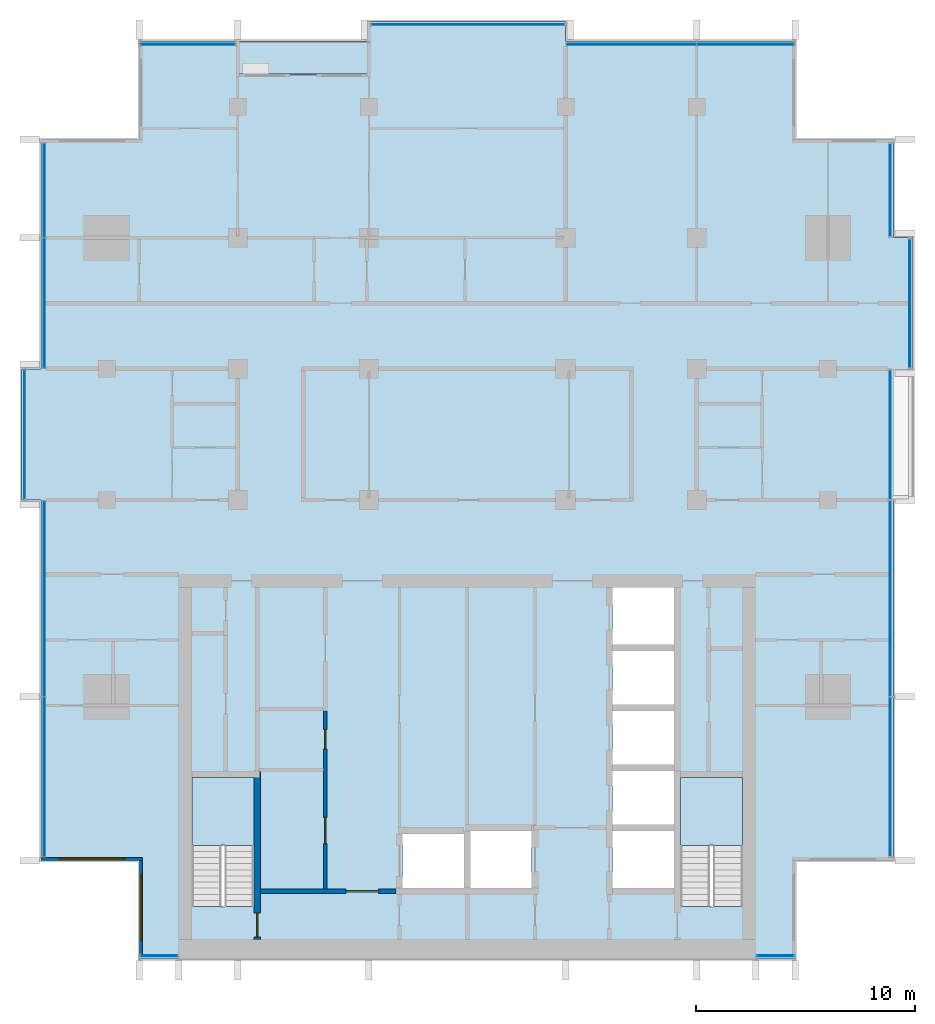
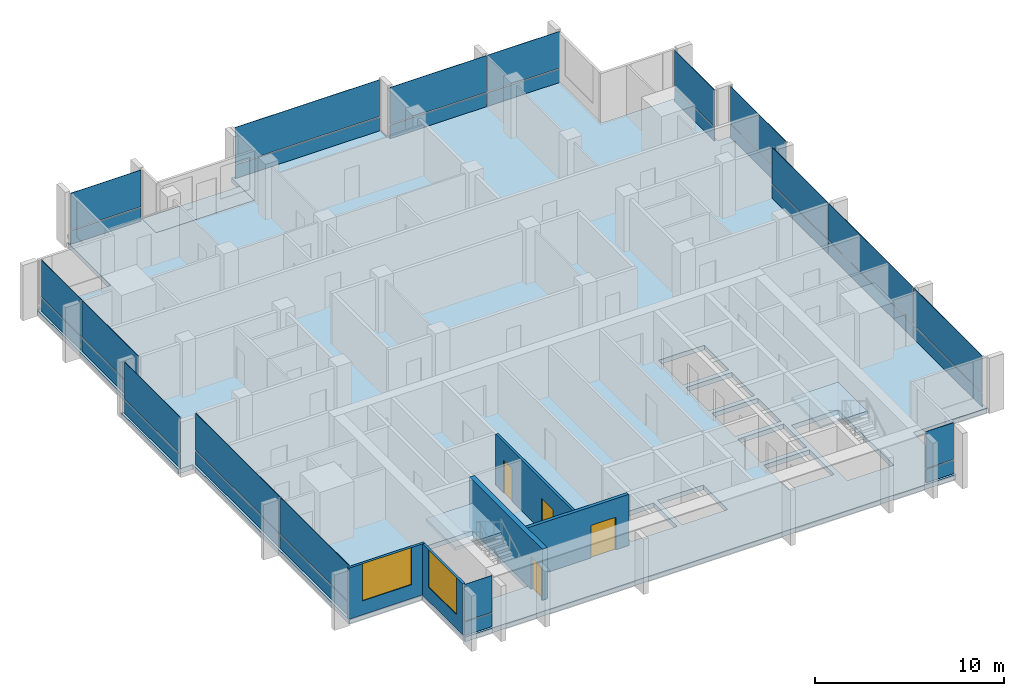
# One storey, part 6 of 15: 32 plates, 5 walls, 4 doors, 4 slabs, 2 windows, 6 openings, 13 elements without a shape of their own.
"""IFC4 building model written with IfcOpenShell, lengths in metres."""

from ifc_helpers import new_model, si_unit, direction, frame, frame_2d, origin, origin_2d, place, context, subcontext, project, spatial, polyline, rectangle, outline, extrude, material, layer, layer_set, type_object, element, fill, aggregate, save


model = new_model("IFC4")

# Units and contexts
model_context = context("Model", 3, precision=1e-05, world=origin(), true_north=direction((0.0, 1.0)))
body_context = subcontext(model_context, "Body", "Model", "MODEL_VIEW")
ifc_project = project(units=[si_unit("LENGTHUNIT", "METRE"), si_unit("AREAUNIT", "SQUARE_METRE"), si_unit("VOLUMEUNIT", "CUBIC_METRE"), si_unit("PLANEANGLEUNIT", "RADIAN"), si_unit("MASSUNIT", "GRAM", prefix="KILO")], contexts=[model_context])

# Site, building, storey
site_placement = place(None, origin())
site = spatial("IfcSite", under=ifc_project, at=site_placement, CompositionType="ELEMENT")
building_placement = place(site_placement, origin())
building = spatial("IfcBuilding", under=site, at=building_placement, Name="Finial Court Residences", CompositionType="ELEMENT")
storey_placement = place(building_placement, frame((0.0, 0.0, 226.699951171875)))
storey = spatial("IfcBuildingStorey", under=building, at=storey_placement, Name="L57", CompositionType="ELEMENT", Elevation=226.699951171875)

# Slab
ifc_material_1 = material(Name="Concrete C35/45", Category="concrete")
ifc_layer_1 = layer(ifc_material_1, 0.199951171875)
ifc_layer_set_1 = layer_set([ifc_layer_1], Name="Balcony slab, Concrete C35/45 200")
slab_type_1 = type_object("IfcSlabType", Name="Balcony slab, Concrete C35/45 200", PredefinedType="FLOOR", material=ifc_layer_set_1)
slab_1_placement = place(storey_placement, frame((0.0, 0.0, -0.199951171875)))
element("IfcSlab", 1, at=slab_1_placement, inside=storey, type_object=slab_type_1, Name="Balcony L57-N2", PredefinedType="FLOOR", context=body_context, shape_type="SweptSolid", body=[
    extrude(outline(polyline([(-4.5, 15.0), (-4.5, 16.5), (-10.5, 16.5), (-10.5, 15.0), (-4.5, 15.0)])), origin(), (0.0, 0.0, 1.0), 0.199951171875),
])

# Curtain wall, plate
ifc_material_2 = material(Name="Bronze anodised aluminium", Category="aluminium")
curtain_wall_type = type_object("IfcCurtainWallType", Name="Unitised curtain wall, upper zones", PredefinedType="NOTDEFINED", material=ifc_material_2)
curtain_wall_1_placement = place(storey_placement, origin())
curtain_wall_1 = element("IfcCurtainWall", 2, at=curtain_wall_1_placement, inside=storey, type_object=curtain_wall_type, Name="E-L57-CW-N1", PredefinedType="NOTDEFINED")
ifc_layer_2 = layer(ifc_material_2, 0.035888671875)
ifc_layer_set_2 = layer_set([ifc_layer_2], Name="CW2 spandrel panel 36")
plate_type_1 = type_object("IfcPlateType", Name="CW2 spandrel panel 36", PredefinedType="CURTAIN_PANEL", material=ifc_layer_set_2)
plate_1_placement = place(storey_placement, frame((-12.78759765625, 16.35009765625, 0.0), z_axis=(0.0, 0.0, 1.0), x_axis=(1.0, 0.0, 0.0)))
plate_1 = element("IfcPlate", 3, at=plate_1_placement, type_object=plate_type_1, Name="CW2 spandrel 1.1", PredefinedType="CURTAIN_PANEL", context=body_context, shape_type="SweptSolid", body=[
    extrude(rectangle(XDim=4.304931640625, YDim=0.035888671875, at=origin_2d()), origin(), (0.0, 0.0, 1.0), 0.8701171875),
])

curtain_wall_2_placement = place(storey_placement, origin())
curtain_wall_2 = element("IfcCurtainWall", 4, at=curtain_wall_2_placement, inside=storey, type_object=curtain_wall_type, Name="E-L57-CW-N2", PredefinedType="NOTDEFINED")
plate_2_placement = place(storey_placement, frame((0.03759765625, 17.25, 0.0), z_axis=(0.0, 0.0, 1.0), x_axis=(1.0, 0.0, 0.0)))
plate_2 = element("IfcPlate", 5, at=plate_2_placement, type_object=plate_type_1, Name="CW2 spandrel 1.1", PredefinedType="CURTAIN_PANEL", context=body_context, shape_type="SweptSolid", body=[
    extrude(rectangle(XDim=8.804931640625, YDim=0.035888671875, at=origin_2d()), origin(), (0.0, 0.0, 1.0), 0.8701171875),
])

# Curtain wall, plates
curtain_wall_3_placement = place(storey_placement, origin())
curtain_wall_3 = element("IfcCurtainWall", 6, at=curtain_wall_3_placement, inside=storey, type_object=curtain_wall_type, Name="E-L57-CW-N3", PredefinedType="NOTDEFINED")
plate_3_placement = place(storey_placement, frame((7.514892578125, 16.35009765625, 0.0), z_axis=(0.0, 0.0, 1.0), x_axis=(1.0, 0.0, 0.0)))
plate_3 = element("IfcPlate", 7, at=plate_3_placement, type_object=plate_type_1, Name="CW2 spandrel 1.1", PredefinedType="CURTAIN_PANEL", context=body_context, shape_type="SweptSolid", body=[
    extrude(rectangle(XDim=5.909912109375, YDim=0.035888671875, at=origin_2d()), origin(), (0.0, 0.0, 1.0), 0.8701171875),
])
plate_4_placement = place(storey_placement, frame((12.735107421875, 16.35009765625, 0.0), z_axis=(0.0, 0.0, 1.0), x_axis=(1.0, 0.0, 0.0)))
plate_4 = element("IfcPlate", 8, at=plate_4_placement, type_object=plate_type_1, Name="CW2 spandrel 2.1", PredefinedType="CURTAIN_PANEL", context=body_context, shape_type="SweptSolid", body=[
    extrude(rectangle(XDim=4.409912109375, YDim=0.035888671875, at=origin_2d()), origin(), (0.0, 0.0, 1.0), 0.8701171875),
])

curtain_wall_4_placement = place(storey_placement, origin())
curtain_wall_4 = element("IfcCurtainWall", 9, at=curtain_wall_4_placement, inside=storey, type_object=curtain_wall_type, Name="E-L57-CW-E4", PredefinedType="NOTDEFINED")
plate_5_placement = place(storey_placement, frame((19.35009765625, -17.159912109375, 0.0), z_axis=(0.0, 0.0, 1.0), x_axis=(0.0, 1.0, 0.0)))
plate_5 = element("IfcPlate", 10, at=plate_5_placement, type_object=plate_type_1, Name="CW2 spandrel 1.1", PredefinedType="CURTAIN_PANEL", context=body_context, shape_type="SweptSolid", body=[
    extrude(rectangle(XDim=7.260009765625, YDim=0.035888671875, at=origin_2d()), origin(), (0.0, 0.0, 1.0), 0.8701171875),
])
plate_6_placement = place(storey_placement, frame((19.35009765625, -9.0, 0.0), z_axis=(0.0, 0.0, 1.0), x_axis=(0.0, 1.0, 0.0)))
plate_6 = element("IfcPlate", 11, at=plate_6_placement, type_object=plate_type_1, Name="CW2 spandrel 2.1", PredefinedType="CURTAIN_PANEL", context=body_context, shape_type="SweptSolid", body=[
    extrude(rectangle(XDim=8.93994140625, YDim=0.035888671875, at=origin_2d()), origin(), (0.0, 0.0, 1.0), 0.8701171875),
])
plate_7_placement = place(storey_placement, frame((19.35009765625, -1.514892578125, 0.0), z_axis=(0.0, 0.0, 1.0), x_axis=(0.0, 1.0, 0.0)))
plate_7 = element("IfcPlate", 12, at=plate_7_placement, type_object=plate_type_1, Name="CW2 spandrel 3.1", PredefinedType="CURTAIN_PANEL", context=body_context, shape_type="SweptSolid", body=[
    extrude(rectangle(XDim=5.909912109375, YDim=0.035888671875, at=origin_2d()), origin(), (0.0, 0.0, 1.0), 0.8701171875),
])

# Curtain wall, plate
curtain_wall_5_placement = place(storey_placement, origin())
curtain_wall_5 = element("IfcCurtainWall", 13, at=curtain_wall_5_placement, inside=storey, type_object=curtain_wall_type, Name="E-L57-CW-E5", PredefinedType="NOTDEFINED")
plate_8_placement = place(storey_placement, frame((20.25, 4.5, 0.0), z_axis=(0.0, 0.0, 1.0), x_axis=(0.0, 1.0, 0.0)))
plate_8 = element("IfcPlate", 14, at=plate_8_placement, type_object=plate_type_1, Name="CW2 spandrel 1.1", PredefinedType="CURTAIN_PANEL", context=body_context, shape_type="SweptSolid", body=[
    extrude(rectangle(XDim=5.8798828125, YDim=0.035888671875, at=origin_2d()), origin(), (0.0, 0.0, 1.0), 0.8701171875),
])

curtain_wall_6_placement = place(storey_placement, origin())
curtain_wall_6 = element("IfcCurtainWall", 15, at=curtain_wall_6_placement, inside=storey, type_object=curtain_wall_type, Name="E-L57-CW-E6", PredefinedType="NOTDEFINED")
plate_9_placement = place(storey_placement, frame((19.35009765625, 9.675048828125, 0.0), z_axis=(0.0, 0.0, 1.0), x_axis=(0.0, 1.0, 0.0)))
plate_9 = element("IfcPlate", 16, at=plate_9_placement, type_object=plate_type_1, Name="CW2 spandrel 1.1", PredefinedType="CURTAIN_PANEL", context=body_context, shape_type="SweptSolid", body=[
    extrude(rectangle(XDim=4.22998046875, YDim=0.035888671875, at=origin_2d()), origin(), (0.0, 0.0, 1.0), 0.8701171875),
])

curtain_wall_7_placement = place(storey_placement, origin())
curtain_wall_7 = element("IfcCurtainWall", 17, at=curtain_wall_7_placement, inside=storey, type_object=curtain_wall_type, Name="E-L57-CW-S7", PredefinedType="NOTDEFINED")
plate_10_placement = place(storey_placement, frame((-14.10009765625, -25.35009765625, 0.0), z_axis=(0.0, 0.0, 1.0), x_axis=(1.0, 0.0, 0.0)))
plate_10 = element("IfcPlate", 18, at=plate_10_placement, type_object=plate_type_1, Name="CW2 spandrel 1.1", PredefinedType="CURTAIN_PANEL", context=body_context, shape_type="SweptSolid", body=[
    extrude(rectangle(XDim=1.679931640625, YDim=0.035888671875, at=origin_2d()), origin(), (0.0, 0.0, 1.0), 0.8701171875),
])

curtain_wall_8_placement = place(storey_placement, origin())
curtain_wall_8 = element("IfcCurtainWall", 19, at=curtain_wall_8_placement, inside=storey, type_object=curtain_wall_type, Name="E-L57-CW-S8", PredefinedType="NOTDEFINED")
plate_11_placement = place(storey_placement, frame((14.10009765625, -25.35009765625, 0.0), z_axis=(0.0, 0.0, 1.0), x_axis=(1.0, 0.0, 0.0)))
plate_11 = element("IfcPlate", 20, at=plate_11_placement, type_object=plate_type_1, Name="CW2 spandrel 1.1", PredefinedType="CURTAIN_PANEL", context=body_context, shape_type="SweptSolid", body=[
    extrude(rectangle(XDim=1.679931640625, YDim=0.035888671875, at=origin_2d()), origin(), (0.0, 0.0, 1.0), 0.8701171875),
])

# Curtain wall, plates
curtain_wall_9_placement = place(storey_placement, origin())
curtain_wall_9 = element("IfcCurtainWall", 21, at=curtain_wall_9_placement, inside=storey, type_object=curtain_wall_type, Name="E-L57-CW-W9", PredefinedType="NOTDEFINED")
plate_12_placement = place(storey_placement, frame((-19.35009765625, -17.159912109375, 0.0), z_axis=(0.0, 0.0, 1.0), x_axis=(0.0, 1.0, 0.0)))
plate_12 = element("IfcPlate", 22, at=plate_12_placement, type_object=plate_type_1, Name="CW2 spandrel 1.1", PredefinedType="CURTAIN_PANEL", context=body_context, shape_type="SweptSolid", body=[
    extrude(rectangle(XDim=7.260009765625, YDim=0.035888671875, at=origin_2d()), origin(), (0.0, 0.0, 1.0), 0.8701171875),
])
plate_13_placement = place(storey_placement, frame((-19.35009765625, -9.014892578125, 0.0), z_axis=(0.0, 0.0, 1.0), x_axis=(0.0, 1.0, 0.0)))
plate_13 = element("IfcPlate", 23, at=plate_13_placement, type_object=plate_type_1, Name="CW2 spandrel 2.1", PredefinedType="CURTAIN_PANEL", context=body_context, shape_type="SweptSolid", body=[
    extrude(rectangle(XDim=8.909912109375, YDim=0.035888671875, at=origin_2d()), origin(), (0.0, 0.0, 1.0), 0.8701171875),
])

# Curtain wall, plate
curtain_wall_10_placement = place(storey_placement, origin())
curtain_wall_10 = element("IfcCurtainWall", 24, at=curtain_wall_10_placement, inside=storey, type_object=curtain_wall_type, Name="E-L57-CW-W10", PredefinedType="NOTDEFINED")
plate_14_placement = place(storey_placement, frame((-20.25, -1.5, 0.0), z_axis=(0.0, 0.0, 1.0), x_axis=(0.0, 1.0, 0.0)))
plate_14 = element("IfcPlate", 25, at=plate_14_placement, type_object=plate_type_1, Name="CW2 spandrel 1.1", PredefinedType="CURTAIN_PANEL", context=body_context, shape_type="SweptSolid", body=[
    extrude(rectangle(XDim=5.8798828125, YDim=0.035888671875, at=origin_2d()), origin(), (0.0, 0.0, 1.0), 0.8701171875),
])

# Curtain wall, plates
curtain_wall_11_placement = place(storey_placement, origin())
curtain_wall_11 = element("IfcCurtainWall", 26, at=curtain_wall_11_placement, inside=storey, type_object=curtain_wall_type, Name="E-L57-CW-W11", PredefinedType="NOTDEFINED")
plate_15_placement = place(storey_placement, frame((-19.35009765625, 4.514892578125, 0.0), z_axis=(0.0, 0.0, 1.0), x_axis=(0.0, 1.0, 0.0)))
plate_15 = element("IfcPlate", 27, at=plate_15_placement, type_object=plate_type_1, Name="CW2 spandrel 1.1", PredefinedType="CURTAIN_PANEL", context=body_context, shape_type="SweptSolid", body=[
    extrude(rectangle(XDim=5.909912109375, YDim=0.035888671875, at=origin_2d()), origin(), (0.0, 0.0, 1.0), 0.8701171875),
])
plate_16_placement = place(storey_placement, frame((-19.35009765625, 9.659912109375, 0.0), z_axis=(0.0, 0.0, 1.0), x_axis=(0.0, 1.0, 0.0)))
plate_16 = element("IfcPlate", 28, at=plate_16_placement, type_object=plate_type_1, Name="CW2 spandrel 2.1", PredefinedType="CURTAIN_PANEL", context=body_context, shape_type="SweptSolid", body=[
    extrude(rectangle(XDim=4.260009765625, YDim=0.035888671875, at=origin_2d()), origin(), (0.0, 0.0, 1.0), 0.8701171875),
])

# Plate
ifc_material_3 = material(Name="Clear low-e glass", Category="glass")
ifc_layer_3 = layer(ifc_material_3, 0.030029296875)
ifc_layer_set_3 = layer_set([ifc_layer_3], Name="CW2 vision glass 30")
plate_type_2 = type_object("IfcPlateType", Name="CW2 vision glass 30", PredefinedType="CURTAIN_PANEL", material=ifc_layer_set_3)
plate_17_placement = place(storey_placement, frame((-12.78759765625, 16.35009765625, 0.929931640625), z_axis=(0.0, 0.0, 1.0), x_axis=(1.0, 0.0, 0.0)))
plate_17 = element("IfcPlate", 29, at=plate_17_placement, type_object=plate_type_2, Name="CW2 glass 1.2", PredefinedType="CURTAIN_PANEL", context=body_context, shape_type="SweptSolid", body=[
    extrude(rectangle(XDim=4.304931640625, YDim=0.030029296875, at=origin_2d()), origin(), (0.0, 0.0, 1.0), 2.3701171875),
])

aggregate(curtain_wall_1, [plate_1, plate_17])

plate_18_placement = place(storey_placement, frame((0.03759765625, 17.25, 0.929931640625), z_axis=(0.0, 0.0, 1.0), x_axis=(1.0, 0.0, 0.0)))
plate_18 = element("IfcPlate", 30, at=plate_18_placement, type_object=plate_type_2, Name="CW2 glass 1.2", PredefinedType="CURTAIN_PANEL", context=body_context, shape_type="SweptSolid", body=[
    extrude(rectangle(XDim=8.804931640625, YDim=0.030029296875, at=origin_2d()), origin(), (0.0, 0.0, 1.0), 2.3701171875),
])

aggregate(curtain_wall_2, [plate_2, plate_18])

plate_19_placement = place(storey_placement, frame((7.514892578125, 16.35009765625, 0.929931640625), z_axis=(0.0, 0.0, 1.0), x_axis=(1.0, 0.0, 0.0)))
plate_19 = element("IfcPlate", 31, at=plate_19_placement, type_object=plate_type_2, Name="CW2 glass 1.2", PredefinedType="CURTAIN_PANEL", context=body_context, shape_type="SweptSolid", body=[
    extrude(rectangle(XDim=5.909912109375, YDim=0.030029296875, at=origin_2d()), origin(), (0.0, 0.0, 1.0), 2.3701171875),
])

plate_20_placement = place(storey_placement, frame((12.735107421875, 16.35009765625, 0.929931640625), z_axis=(0.0, 0.0, 1.0), x_axis=(1.0, 0.0, 0.0)))
plate_20 = element("IfcPlate", 32, at=plate_20_placement, type_object=plate_type_2, Name="CW2 glass 2.2", PredefinedType="CURTAIN_PANEL", context=body_context, shape_type="SweptSolid", body=[
    extrude(rectangle(XDim=4.409912109375, YDim=0.030029296875, at=origin_2d()), origin(), (0.0, 0.0, 1.0), 2.3701171875),
])

aggregate(curtain_wall_3, [plate_3, plate_19, plate_4, plate_20])

plate_21_placement = place(storey_placement, frame((19.35009765625, -17.159912109375, 0.929931640625), z_axis=(0.0, 0.0, 1.0), x_axis=(0.0, 1.0, 0.0)))
plate_21 = element("IfcPlate", 33, at=plate_21_placement, type_object=plate_type_2, Name="CW2 glass 1.2", PredefinedType="CURTAIN_PANEL", context=body_context, shape_type="SweptSolid", body=[
    extrude(rectangle(XDim=7.260009765625, YDim=0.030029296875, at=origin_2d()), origin(), (0.0, 0.0, 1.0), 2.3701171875),
])

plate_22_placement = place(storey_placement, frame((19.35009765625, -9.0, 0.929931640625), z_axis=(0.0, 0.0, 1.0), x_axis=(0.0, 1.0, 0.0)))
plate_22 = element("IfcPlate", 34, at=plate_22_placement, type_object=plate_type_2, Name="CW2 glass 2.2", PredefinedType="CURTAIN_PANEL", context=body_context, shape_type="SweptSolid", body=[
    extrude(rectangle(XDim=8.93994140625, YDim=0.030029296875, at=origin_2d()), origin(), (0.0, 0.0, 1.0), 2.3701171875),
])

plate_23_placement = place(storey_placement, frame((19.35009765625, -1.514892578125, 0.929931640625), z_axis=(0.0, 0.0, 1.0), x_axis=(0.0, 1.0, 0.0)))
plate_23 = element("IfcPlate", 35, at=plate_23_placement, type_object=plate_type_2, Name="CW2 glass 3.2", PredefinedType="CURTAIN_PANEL", context=body_context, shape_type="SweptSolid", body=[
    extrude(rectangle(XDim=5.909912109375, YDim=0.030029296875, at=origin_2d()), origin(), (0.0, 0.0, 1.0), 2.3701171875),
])

aggregate(curtain_wall_4, [plate_5, plate_21, plate_6, plate_22, plate_7, plate_23])

plate_24_placement = place(storey_placement, frame((20.25, 4.5, 0.929931640625), z_axis=(0.0, 0.0, 1.0), x_axis=(0.0, 1.0, 0.0)))
plate_24 = element("IfcPlate", 36, at=plate_24_placement, type_object=plate_type_2, Name="CW2 glass 1.2", PredefinedType="CURTAIN_PANEL", context=body_context, shape_type="SweptSolid", body=[
    extrude(rectangle(XDim=5.8798828125, YDim=0.030029296875, at=origin_2d()), origin(), (0.0, 0.0, 1.0), 2.3701171875),
])

aggregate(curtain_wall_5, [plate_8, plate_24])

plate_25_placement = place(storey_placement, frame((19.35009765625, 9.675048828125, 0.929931640625), z_axis=(0.0, 0.0, 1.0), x_axis=(0.0, 1.0, 0.0)))
plate_25 = element("IfcPlate", 37, at=plate_25_placement, type_object=plate_type_2, Name="CW2 glass 1.2", PredefinedType="CURTAIN_PANEL", context=body_context, shape_type="SweptSolid", body=[
    extrude(rectangle(XDim=4.22998046875, YDim=0.030029296875, at=origin_2d()), origin(), (0.0, 0.0, 1.0), 2.3701171875),
])

aggregate(curtain_wall_6, [plate_9, plate_25])

plate_26_placement = place(storey_placement, frame((-14.10009765625, -25.35009765625, 0.929931640625), z_axis=(0.0, 0.0, 1.0), x_axis=(1.0, 0.0, 0.0)))
plate_26 = element("IfcPlate", 38, at=plate_26_placement, type_object=plate_type_2, Name="CW2 glass 1.2", PredefinedType="CURTAIN_PANEL", context=body_context, shape_type="SweptSolid", body=[
    extrude(rectangle(XDim=1.679931640625, YDim=0.030029296875, at=origin_2d()), origin(), (0.0, 0.0, 1.0), 2.3701171875),
])

aggregate(curtain_wall_7, [plate_10, plate_26])

plate_27_placement = place(storey_placement, frame((14.10009765625, -25.35009765625, 0.929931640625), z_axis=(0.0, 0.0, 1.0), x_axis=(1.0, 0.0, 0.0)))
plate_27 = element("IfcPlate", 39, at=plate_27_placement, type_object=plate_type_2, Name="CW2 glass 1.2", PredefinedType="CURTAIN_PANEL", context=body_context, shape_type="SweptSolid", body=[
    extrude(rectangle(XDim=1.679931640625, YDim=0.030029296875, at=origin_2d()), origin(), (0.0, 0.0, 1.0), 2.3701171875),
])

aggregate(curtain_wall_8, [plate_11, plate_27])

plate_28_placement = place(storey_placement, frame((-19.35009765625, -17.159912109375, 0.929931640625), z_axis=(0.0, 0.0, 1.0), x_axis=(0.0, 1.0, 0.0)))
plate_28 = element("IfcPlate", 40, at=plate_28_placement, type_object=plate_type_2, Name="CW2 glass 1.2", PredefinedType="CURTAIN_PANEL", context=body_context, shape_type="SweptSolid", body=[
    extrude(rectangle(XDim=7.260009765625, YDim=0.030029296875, at=origin_2d()), origin(), (0.0, 0.0, 1.0), 2.3701171875),
])

plate_29_placement = place(storey_placement, frame((-19.35009765625, -9.014892578125, 0.929931640625), z_axis=(0.0, 0.0, 1.0), x_axis=(0.0, 1.0, 0.0)))
plate_29 = element("IfcPlate", 41, at=plate_29_placement, type_object=plate_type_2, Name="CW2 glass 2.2", PredefinedType="CURTAIN_PANEL", context=body_context, shape_type="SweptSolid", body=[
    extrude(rectangle(XDim=8.909912109375, YDim=0.030029296875, at=origin_2d()), origin(), (0.0, 0.0, 1.0), 2.3701171875),
])

aggregate(curtain_wall_9, [plate_12, plate_28, plate_13, plate_29])

plate_30_placement = place(storey_placement, frame((-20.25, -1.5, 0.929931640625), z_axis=(0.0, 0.0, 1.0), x_axis=(0.0, 1.0, 0.0)))
plate_30 = element("IfcPlate", 42, at=plate_30_placement, type_object=plate_type_2, Name="CW2 glass 1.2", PredefinedType="CURTAIN_PANEL", context=body_context, shape_type="SweptSolid", body=[
    extrude(rectangle(XDim=5.8798828125, YDim=0.030029296875, at=origin_2d()), origin(), (0.0, 0.0, 1.0), 2.3701171875),
])

aggregate(curtain_wall_10, [plate_14, plate_30])

plate_31_placement = place(storey_placement, frame((-19.35009765625, 4.514892578125, 0.929931640625), z_axis=(0.0, 0.0, 1.0), x_axis=(0.0, 1.0, 0.0)))
plate_31 = element("IfcPlate", 43, at=plate_31_placement, type_object=plate_type_2, Name="CW2 glass 1.2", PredefinedType="CURTAIN_PANEL", context=body_context, shape_type="SweptSolid", body=[
    extrude(rectangle(XDim=5.909912109375, YDim=0.030029296875, at=origin_2d()), origin(), (0.0, 0.0, 1.0), 2.3701171875),
])

plate_32_placement = place(storey_placement, frame((-19.35009765625, 9.659912109375, 0.929931640625), z_axis=(0.0, 0.0, 1.0), x_axis=(0.0, 1.0, 0.0)))
plate_32 = element("IfcPlate", 44, at=plate_32_placement, type_object=plate_type_2, Name="CW2 glass 2.2", PredefinedType="CURTAIN_PANEL", context=body_context, shape_type="SweptSolid", body=[
    extrude(rectangle(XDim=4.260009765625, YDim=0.030029296875, at=origin_2d()), origin(), (0.0, 0.0, 1.0), 2.3701171875),
])

aggregate(curtain_wall_11, [plate_15, plate_31, plate_16, plate_32])

# Stair, slab
ifc_material_4 = material(Name="Concrete C50/60", Category="concrete")
stair_type = type_object("IfcStairType", Name="Exit stair 22 risers of 163.6 mm", PredefinedType="HALF_TURN_STAIR", material=ifc_material_4)
stair_1_placement = place(storey_placement, origin())
stair_1 = element("IfcStair", 45, at=stair_1_placement, inside=storey, type_object=stair_type, Name="L57 Exit stair ST-1", PredefinedType="HALF_TURN_STAIR")
ifc_layer_4 = layer(ifc_material_4, 0.199951171875)
ifc_layer_set_4 = layer_set([ifc_layer_4], Name="Exit stair landing")
slab_type_2 = type_object("IfcSlabType", Name="Exit stair landing", PredefinedType="LANDING", material=ifc_layer_set_4)
slab_2_placement = place(storey_placement, frame((0.0, 0.0, 1.60009765625)))
slab_2 = element("IfcSlab", 46, at=slab_2_placement, type_object=slab_type_2, Name="ST-1 landing 1", PredefinedType="LANDING", context=body_context, shape_type="SweptSolid", body=[
    extrude(outline(polyline([(-9.75, -20.300048828125), (-9.75, -17.199951171875), (-12.60009765625, -17.199951171875), (-12.60009765625, -20.300048828125), (-9.75, -20.300048828125)])), origin(), (0.0, 0.0, 1.0), 0.199951171875),
])
aggregate(stair_1, [slab_2])

stair_2_placement = place(storey_placement, origin())
stair_2 = element("IfcStair", 47, at=stair_2_placement, inside=storey, type_object=stair_type, Name="L57 Exit stair ST-2", PredefinedType="HALF_TURN_STAIR")
slab_3_placement = place(storey_placement, frame((0.0, 0.0, 1.60009765625)))
slab_3 = element("IfcSlab", 48, at=slab_3_placement, type_object=slab_type_2, Name="ST-2 landing 1", PredefinedType="LANDING", context=body_context, shape_type="SweptSolid", body=[
    extrude(outline(polyline([(12.60009765625, -20.300048828125), (12.60009765625, -17.199951171875), (9.75, -17.199951171875), (9.75, -20.300048828125), (12.60009765625, -20.300048828125)])), origin(), (0.0, 0.0, 1.0), 0.199951171875),
])
aggregate(stair_2, [slab_3])

# Slab
ifc_material_5 = material(Name="Concrete C40/50", Category="concrete")
ifc_layer_5 = layer(ifc_material_5, 0.300048828125)
ifc_layer_set_5 = layer_set([ifc_layer_5], Name="Flat plate slab 300 Concrete C40/50")
slab_type_3 = type_object("IfcSlabType", Name="Flat plate slab 300 Concrete C40/50", PredefinedType="FLOOR", material=ifc_layer_set_5)
slab_4_placement = place(storey_placement, frame((0.0, 0.0, -0.300048828125)))
element("IfcSlab", 49, at=slab_4_placement, inside=storey, type_object=slab_type_3, Name="S:SLAB:L57", PredefinedType="FLOOR", context=body_context, shape_type="SweptSolid", body=[
    extrude(outline(polyline([(-20.39990234375, -4.5), (-20.39990234375, 1.5), (-19.5, 1.5), (-19.5, 12.0), (-15.0, 12.0), (-15.0, 16.5), (-10.5, 16.5), (-10.5, 15.0), (-4.5, 15.0), (-4.5, 16.5), (-4.5, 17.39990234375), (4.5, 17.39990234375), (4.5, 16.5), (15.0, 16.5), (15.0, 12.0), (19.5, 12.0), (19.5, 7.5), (20.39990234375, 7.5), (20.39990234375, 1.5), (20.39990234375, -4.5), (19.5, -4.5), (19.5, -21.0), (15.0, -21.0), (15.0, -25.5), (-15.0, -25.5), (-15.0, -21.0), (-19.5, -21.0), (-19.5, -4.5), (-20.39990234375, -4.5)]), holes=[polyline([(-0.14990234375, -19.77001953125), (-2.949951171875, -19.77001953125), (-2.949951171875, -22.25), (-0.14990234375, -22.25), (-0.14990234375, -19.77001953125)]), polyline([(2.949951171875, -19.64990234375), (0.14990234375, -19.64990234375), (0.14990234375, -22.25), (2.949951171875, -22.25), (2.949951171875, -19.64990234375)]), polyline([(9.449951171875, -19.64990234375), (6.64990234375, -19.64990234375), (6.64990234375, -22.25), (9.449951171875, -22.25), (9.449951171875, -19.64990234375)]), polyline([(-12.60009765625, -17.199951171875), (-12.60009765625, -23.09912109375), (-9.75, -23.09912109375), (-9.75, -17.199951171875), (-12.60009765625, -17.199951171875)]), polyline([(9.75, -17.199951171875), (9.75, -23.09912109375), (12.60009765625, -23.09912109375), (12.60009765625, -17.199951171875), (9.75, -17.199951171875)]), polyline([(9.449951171875, -16.89990234375), (6.64990234375, -16.89990234375), (6.64990234375, -19.35009765625), (9.449951171875, -19.35009765625), (9.449951171875, -16.89990234375)]), polyline([(9.449951171875, -14.14990234375), (6.64990234375, -14.14990234375), (6.64990234375, -16.60009765625), (9.449951171875, -16.60009765625), (9.449951171875, -14.14990234375)]), polyline([(9.449951171875, -13.85009765625), (9.449951171875, -11.39990234375), (6.64990234375, -11.39990234375), (6.64990234375, -13.85009765625), (9.449951171875, -13.85009765625)]), polyline([(9.449951171875, -11.10009765625), (9.449951171875, -8.5), (6.64990234375, -8.5), (6.64990234375, -11.10009765625), (9.449951171875, -11.10009765625)])]), origin(), (0.0, 0.0, 1.0), 0.300048828125),
])

# Wall, openings, doors
ifc_material_6 = material(Name="Fire-rated gypsum board partition")
ifc_layer_6 = layer(ifc_material_6, 0.14990234375)
ifc_layer_set_6 = layer_set([ifc_layer_6], Name="Core room partition 150 EI 60")
wall_type_1 = type_object("IfcWallType", Name="Core room partition 150 EI 60", PredefinedType="PARTITIONING", material=ifc_layer_set_6)
wall_1_placement = place(storey_placement, frame((-6.5, -22.300048828125, 0.0), z_axis=(0.0, 0.0, 1.0), x_axis=(0.0, 1.0, 0.0)))
wall_1 = element("IfcWall", 50, at=wall_1_placement, inside=storey, type_object=wall_type_1, Name="Core partition L57-22", PredefinedType="PARTITIONING", context=body_context, shape_type="SweptSolid", body=[
    extrude(rectangle(XDim=8.14013671875, YDim=0.14990234375, at=frame_2d((4.070068359375, 0.0))), origin(), (0.0, 0.0, 1.0), 3.300048828125),
])
opening_1_placement = place(wall_1_placement, frame((2.080078125, 0.0, 0.0)))
opening_1 = element("IfcOpeningElement", 51, at=opening_1_placement, cuts=wall_1, Name="Opening L57-C15", PredefinedType="OPENING", context=body_context, shape_type="SweptSolid", body=[
    extrude(rectangle(XDim=1.199951171875, YDim=2.10009765625, at=frame_2d((0.60009765625, 1.050048828125))), frame((0.0, 0.0849609375, 0.0), z_axis=(0.0, -1.0, 0.0), x_axis=(1.0, 0.0, 0.0)), (0.0, 0.0, 1.0), 0.169921875),
])
opening_2_placement = place(wall_1_placement, frame((6.39990234375, 0.0, 0.0)))
opening_2 = element("IfcOpeningElement", 52, at=opening_2_placement, cuts=wall_1, Name="Opening L57-C16", PredefinedType="OPENING", context=body_context, shape_type="SweptSolid", body=[
    extrude(rectangle(XDim=0.89990234375, YDim=2.10009765625, at=frame_2d((0.449951171875, 1.050048828125))), frame((0.0, 0.0849609375, 0.0), z_axis=(0.0, -1.0, 0.0), x_axis=(1.0, 0.0, 0.0)), (0.0, 0.0, 1.0), 0.169921875),
])
ifc_material_7 = material(Name="Steel fire door", Category="steel")
door_type_1 = type_object("IfcDoorType", Name="Core room door 1200 x 2100 EI 60", OperationType="NOTDEFINED", PredefinedType="DOOR", material=ifc_material_7)
door_1_placement = place(opening_1_placement, origin())
door_1 = element("IfcDoor", 53, at=door_1_placement, inside=storey, type_object=door_type_1, Name="Core room door L57-C15", OperationType="SINGLE_SWING_LEFT", OverallHeight=2.10009765625, OverallWidth=1.199951171875, PredefinedType="DOOR", context=body_context, shape_type="SweptSolid", body=[
    extrude(rectangle(XDim=1.199951171875, YDim=2.10009765625, at=frame_2d((0.60009765625, 1.050048828125))), frame((0.0, 0.02490234375, 0.0), z_axis=(0.0, -1.0, 0.0), x_axis=(1.0, 0.0, 0.0)), (0.0, 0.0, 1.0), 0.050048828125),
])
fill(opening_1, door_1)
door_type_2 = type_object("IfcDoorType", Name="Core room door 900 x 2100 EI 60", OperationType="NOTDEFINED", PredefinedType="DOOR", material=ifc_material_7)
door_2_placement = place(opening_2_placement, origin())
door_2 = element("IfcDoor", 54, at=door_2_placement, inside=storey, type_object=door_type_2, Name="Core room door L57-C16", OperationType="SINGLE_SWING_RIGHT", OverallHeight=2.10009765625, OverallWidth=0.89990234375, PredefinedType="DOOR", context=body_context, shape_type="SweptSolid", body=[
    extrude(rectangle(XDim=0.89990234375, YDim=2.10009765625, at=frame_2d((0.449951171875, 1.050048828125))), frame((0.0, 0.02490234375, 0.0), z_axis=(0.0, -1.0, 0.0), x_axis=(1.0, 0.0, 0.0)), (0.0, 0.0, 1.0), 0.050048828125),
])
fill(opening_2, door_2)

# Wall, opening, door
ifc_material_8 = material(Name="Concrete C60/75", Category="concrete")
ifc_layer_7 = layer(ifc_material_8, 0.300048828125)
ifc_layer_set_7 = layer_set([ifc_layer_7], Name="Lift shaft and stair wall 300 Concrete C60/75")
wall_type_2 = type_object("IfcWallType", Name="Lift shaft and stair wall 300 Concrete C60/75", PredefinedType="SHEAR", material=ifc_layer_set_7)
wall_2_placement = place(storey_placement, frame((-9.60009765625, -24.60009765625, 0.0), z_axis=(0.0, 0.0, 1.0), x_axis=(0.0, 1.0, 0.0)))
wall_2 = element("IfcWall", 55, at=wall_2_placement, inside=storey, type_object=wall_type_2, Name="Core wall L57-19", PredefinedType="SHEAR", context=body_context, shape_type="SweptSolid", body=[
    extrude(rectangle(XDim=7.7001953125, YDim=0.300048828125, at=frame_2d((3.85009765625, 0.0))), origin(), (0.0, 0.0, 1.0), 3.300048828125),
])
opening_3_placement = place(wall_2_placement, frame((0.10009765625, 0.0, 0.0)))
opening_3 = element("IfcOpeningElement", 56, at=opening_3_placement, cuts=wall_2, Name="Opening L57-C19", PredefinedType="OPENING", context=body_context, shape_type="SweptSolid", body=[
    extrude(rectangle(XDim=1.10009765625, YDim=2.10009765625, at=frame_2d((0.550048828125, 1.050048828125))), frame((0.0, 0.159912109375, 0.0), z_axis=(0.0, -1.0, 0.0), x_axis=(1.0, 0.0, 0.0)), (0.0, 0.0, 1.0), 0.320068359375),
])
door_type_3 = type_object("IfcDoorType", Name="Stair door 1100 x 2100 EI 90", OperationType="NOTDEFINED", PredefinedType="DOOR", material=ifc_material_7)
door_3_placement = place(opening_3_placement, origin())
door_3 = element("IfcDoor", 57, at=door_3_placement, inside=storey, type_object=door_type_3, Name="Stair door L57-C19", OperationType="SINGLE_SWING_LEFT", OverallHeight=2.10009765625, OverallWidth=1.10009765625, PredefinedType="DOOR", context=body_context, shape_type="SweptSolid", body=[
    extrude(rectangle(XDim=1.10009765625, YDim=2.10009765625, at=frame_2d((0.550048828125, 1.050048828125))), frame((0.0, 0.02490234375, 0.0), z_axis=(0.0, -1.0, 0.0), x_axis=(1.0, 0.0, 0.0)), (0.0, 0.0, 1.0), 0.050048828125),
])
fill(opening_3, door_3)

# Wall, opening, window
ifc_material_9 = material(Name="Natural limestone", Category="masonry")
ifc_layer_8 = layer(ifc_material_9, 0.14990234375)
ifc_layer_set_8 = layer_set([ifc_layer_8], Name="Limestone clad wall 150")
wall_type_3 = type_object("IfcWallType", Name="Limestone clad wall 150", PredefinedType="SOLIDWALL", material=ifc_layer_set_8)
wall_3_placement = place(storey_placement, frame((-14.925048828125, -25.262451171875, 0.0), z_axis=(0.0, 0.0, 1.0), x_axis=(0.0, 1.0, 0.0)))
wall_3 = element("IfcWall", 58, at=wall_3_placement, inside=storey, type_object=wall_type_3, Name="E-L57-NWW12", PredefinedType="SOLIDWALL", context=body_context, shape_type="SweptSolid", body=[
    extrude(rectangle(XDim=4.262451171875, YDim=0.14990234375, at=frame_2d((2.13134765625, 0.0))), origin(), (0.0, 0.0, 1.0), 3.300048828125),
])
opening_4_placement = place(wall_3_placement, frame((0.631103515625, 0.0, 0.89990234375)))
opening_4 = element("IfcOpeningElement", 59, at=opening_4_placement, cuts=wall_3, Name="Opening WE57-01", PredefinedType="OPENING", context=body_context, shape_type="SweptSolid", body=[
    extrude(rectangle(XDim=3.0, YDim=2.39990234375, at=frame_2d((1.5, 1.199951171875))), frame((0.0, 0.0849609375, 0.0), z_axis=(0.0, -1.0, 0.0), x_axis=(1.0, 0.0, 0.0)), (0.0, 0.0, 1.0), 0.169921875),
])
window_type = type_object("IfcWindowType", Name="Corner window 3000 x 2400", PartitioningType="SINGLE_PANEL", PredefinedType="WINDOW", material=ifc_material_3)
window_1_placement = place(opening_4_placement, origin())
window_1 = element("IfcWindow", 60, at=window_1_placement, inside=storey, type_object=window_type, Name="E-L57-NWW12-W1", OverallHeight=2.39990234375, OverallWidth=3.0, PartitioningType="SINGLE_PANEL", PredefinedType="WINDOW", context=body_context, shape_type="SweptSolid", body=[
    extrude(rectangle(XDim=3.0, YDim=2.39990234375, at=frame_2d((1.5, 1.199951171875))), frame((0.0, 0.030029296875, 0.0), z_axis=(0.0, -1.0, 0.0), x_axis=(1.0, 0.0, 0.0)), (0.0, 0.0, 1.0), 0.06005859375),
])
fill(opening_4, window_1)

wall_4_placement = place(storey_placement, frame((-14.85009765625, -20.925048828125, 0.0), z_axis=(0.0, 0.0, 1.0), x_axis=(-1.0, 0.0, 0.0)))
wall_4 = element("IfcWall", 61, at=wall_4_placement, inside=storey, type_object=wall_type_3, Name="E-L57-NWS13", PredefinedType="SOLIDWALL", context=body_context, shape_type="SweptSolid", body=[
    extrude(rectangle(XDim=4.64990234375, YDim=0.14990234375, at=frame_2d((2.324951171875, 0.0))), origin(), (0.0, 0.0, 1.0), 3.300048828125),
])
opening_5_placement = place(wall_4_placement, frame((0.824951171875, 0.0, 0.89990234375)))
opening_5 = element("IfcOpeningElement", 62, at=opening_5_placement, cuts=wall_4, Name="Opening WE57-02", PredefinedType="OPENING", context=body_context, shape_type="SweptSolid", body=[
    extrude(rectangle(XDim=3.0, YDim=2.39990234375, at=frame_2d((1.5, 1.199951171875))), frame((0.0, 0.0849609375, 0.0), z_axis=(0.0, -1.0, 0.0), x_axis=(1.0, 0.0, 0.0)), (0.0, 0.0, 1.0), 0.169921875),
])
window_2_placement = place(opening_5_placement, origin())
window_2 = element("IfcWindow", 63, at=window_2_placement, inside=storey, type_object=window_type, Name="E-L57-NWS13-W1", OverallHeight=2.39990234375, OverallWidth=3.0, PartitioningType="SINGLE_PANEL", PredefinedType="WINDOW", context=body_context, shape_type="SweptSolid", body=[
    extrude(rectangle(XDim=3.0, YDim=2.39990234375, at=frame_2d((1.5, 1.199951171875))), frame((0.0, 0.030029296875, 0.0), z_axis=(0.0, -1.0, 0.0), x_axis=(1.0, 0.0, 0.0)), (0.0, 0.0, 1.0), 0.06005859375),
])
fill(opening_5, window_2)

# Wall, opening, door
ifc_layer_9 = layer(ifc_material_6, 0.199951171875)
ifc_layer_set_9 = layer_set([ifc_layer_9], Name="Stair passage wall 200 EI 180")
wall_type_4 = type_object("IfcWallType", Name="Stair passage wall 200 EI 180", PredefinedType="PARTITIONING", material=ifc_layer_set_9)
wall_5_placement = place(storey_placement, frame((-3.25, -22.39990234375, 0.0), z_axis=(0.0, 0.0, 1.0), x_axis=(-1.0, 0.0, 0.0)))
wall_5 = element("IfcWall", 64, at=wall_5_placement, inside=storey, type_object=wall_type_4, Name="Core partition L57-01", PredefinedType="PARTITIONING", context=body_context, shape_type="SweptSolid", body=[
    extrude(rectangle(XDim=6.199951171875, YDim=0.199951171875, at=frame_2d((3.10009765625, 0.0))), origin(), (0.0, 0.0, 1.0), 3.300048828125),
])
opening_6_placement = place(wall_5_placement, frame((0.800048828125, 0.0, 0.0)))
opening_6 = element("IfcOpeningElement", 65, at=opening_6_placement, cuts=wall_5, Name="Opening L57-C03", PredefinedType="OPENING", context=body_context, shape_type="SweptSolid", body=[
    extrude(rectangle(XDim=1.5, YDim=2.10009765625, at=frame_2d((0.75, 1.050048828125))), frame((0.0, 0.10986328125, 0.0), z_axis=(0.0, -1.0, 0.0), x_axis=(1.0, 0.0, 0.0)), (0.0, 0.0, 1.0), 0.219970703125),
])
door_type_4 = type_object("IfcDoorType", Name="Lift lobby door 1500 x 2100 EI 60", OperationType="DOUBLE_DOOR_SINGLE_SWING", PredefinedType="DOOR", material=ifc_material_7)
door_4_placement = place(opening_6_placement, origin())
door_4 = element("IfcDoor", 66, at=door_4_placement, inside=storey, type_object=door_type_4, Name="Lift lobby door L57-C03", OperationType="DOUBLE_DOOR_SINGLE_SWING", OverallHeight=2.10009765625, OverallWidth=1.5, PredefinedType="DOOR", context=body_context, shape_type="SweptSolid", body=[
    extrude(rectangle(XDim=1.5, YDim=2.10009765625, at=frame_2d((0.75, 1.050048828125))), frame((0.0, 0.02490234375, 0.0), z_axis=(0.0, -1.0, 0.0), x_axis=(1.0, 0.0, 0.0)), (0.0, 0.0, 1.0), 0.050048828125),
])
fill(opening_6, door_4)

save(model, "model.ifc")
